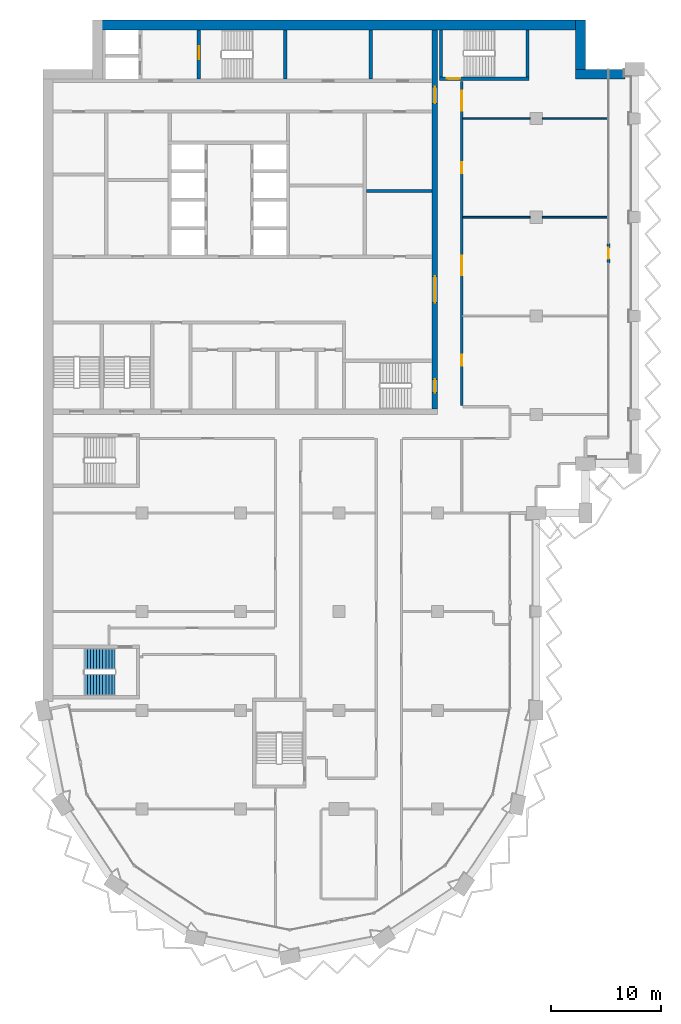
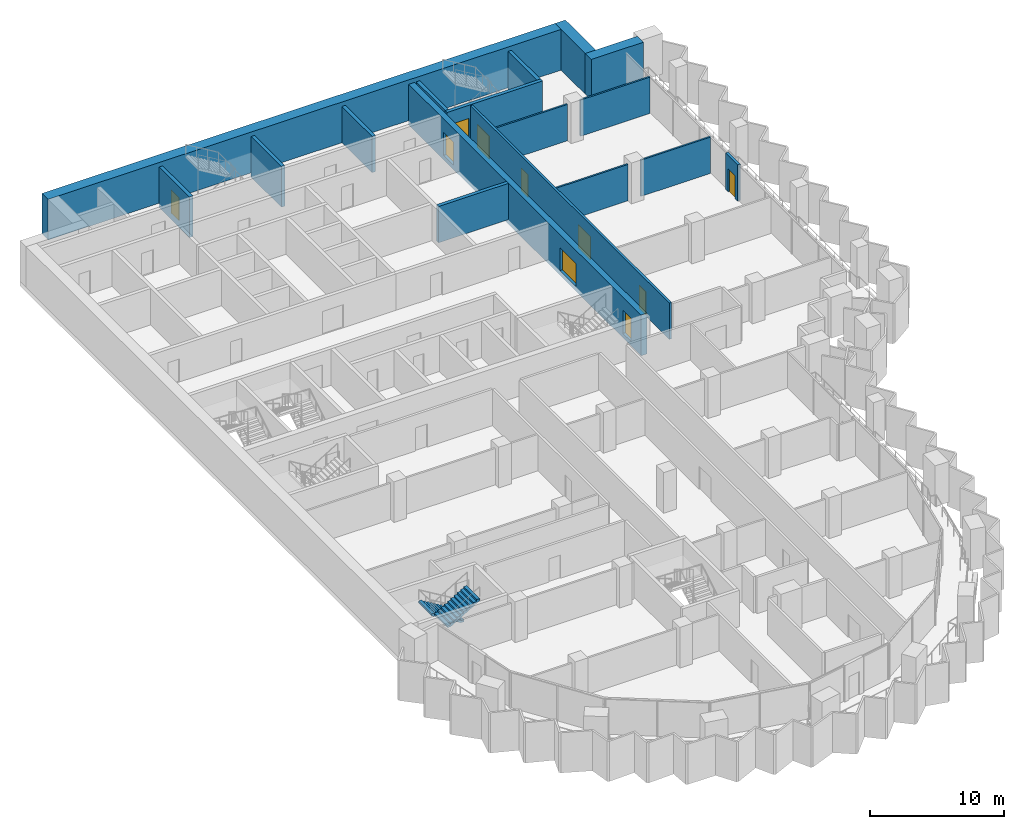
# One storey, part 11 of 17: 17 walls, 10 doors, 2 stair flights, 10 openings, 1 element without a shape of its own.
"""IFC4 building model written with IfcOpenShell, lengths in metres."""

from ifc_helpers import new_model, si_unit, direction, frame, frame_2d, origin, place, context, subcontext, project, spatial, polyline, rectangle, outline, extrude, material, layer, layer_set, type_object, element, fill, aggregate, save


model = new_model("IFC4")

# Units and contexts
model_context = context("Model", 3, precision=1e-05, world=origin(), true_north=direction((0.0, 1.0)))
body_context = subcontext(model_context, "Body", "Model", "MODEL_VIEW")
ifc_project = project(units=[si_unit("LENGTHUNIT", "METRE"), si_unit("AREAUNIT", "SQUARE_METRE"), si_unit("VOLUMEUNIT", "CUBIC_METRE"), si_unit("PLANEANGLEUNIT", "RADIAN"), si_unit("MASSUNIT", "GRAM", prefix="KILO")], contexts=[model_context])

# Site, building, storey
site_placement = place(None, origin())
site = spatial("IfcSite", under=ifc_project, at=site_placement, CompositionType="ELEMENT")
building_placement = place(site_placement, origin())
building = spatial("IfcBuilding", under=site, at=building_placement, Name="Hunhe Ridgeline Campus", CompositionType="ELEMENT")
storey_placement = place(building_placement, frame((0.0, 0.0, 212.39990234375)))
storey = spatial("IfcBuildingStorey", under=building, at=storey_placement, Name="L54", CompositionType="ELEMENT", Elevation=212.39990234375)

# Walls
ifc_material_1 = material(Name="Masonry concrete blockwork", Category="masonry")
ifc_layer_1 = layer(ifc_material_1, 0.300048828125)
ifc_layer_set_1 = layer_set([ifc_layer_1], Name="Core room partition 300 concrete block")
wall_type_1 = type_object("IfcWallType", Name="Core room partition 300 concrete block", PredefinedType="PARTITIONING", material=ifc_layer_set_1)
wall_1_placement = place(storey_placement, frame((29.5, 83.39990234375, 0.0), z_axis=(0.0, 0.0, 1.0), x_axis=(1.0, 0.0, 0.0)))
element("IfcWall", 1, at=wall_1_placement, inside=storey, type_object=wall_type_1, Name="L54 core partition 18", PredefinedType="PARTITIONING", context=body_context, shape_type="SweptSolid", body=[
    extrude(rectangle(XDim=6.0, YDim=0.300048828125, at=frame_2d((3.0, 0.0))), origin(), (0.0, 0.0, 1.0), 3.300048828125),
])
wall_2_placement = place(storey_placement, frame((29.89990234375, 93.60009765625, 0.0), z_axis=(0.0, 0.0, 1.0), x_axis=(0.0, 1.0, 0.0)))
element("IfcWall", 2, at=wall_2_placement, inside=storey, type_object=wall_type_1, Name="L54 core partition 53", PredefinedType="PARTITIONING", context=body_context, shape_type="SweptSolid", body=[
    extrude(rectangle(XDim=4.5, YDim=0.300048828125, at=frame_2d((2.25, 0.0))), origin(), (0.0, 0.0, 1.0), 3.300048828125),
])

# Wall, openings, doors
ifc_material_2 = material(Name="Concrete C60", Category="concrete")
ifc_layer_2 = layer(ifc_material_2, 0.5)
ifc_layer_set_2 = layer_set([ifc_layer_2], Name="Core wall 500 reinforced concrete C60")
wall_type_2 = type_object("IfcWallType", Name="Core wall 500 reinforced concrete C60", PredefinedType="SOLIDWALL", material=ifc_layer_set_2)
wall_3_placement = place(storey_placement, frame((35.75, 63.5, -0.39990234375), z_axis=(0.0, 0.0, 1.0), x_axis=(0.0, 1.0, 0.0)))
wall_3 = element("IfcWall", 3, at=wall_3_placement, inside=storey, type_object=wall_type_2, Name="L54 core wall 54", PredefinedType="SOLIDWALL", context=body_context, shape_type="SweptSolid", body=[
    extrude(rectangle(XDim=34.60009765625, YDim=0.5, at=frame_2d((17.300048828125, 0.0))), origin(), (0.0, 0.0, 1.0), 3.699951171875),
])
opening_1_placement = place(wall_3_placement, frame((9.699951171875, 0.0, 0.39990234375)))
opening_1 = element("IfcOpeningElement", 4, at=opening_1_placement, cuts=wall_3, Name="Opening CD4", PredefinedType="OPENING", context=body_context, shape_type="SweptSolid", body=[
    extrude(rectangle(XDim=2.39990234375, YDim=2.10009765625, at=frame_2d((1.199951171875, 1.050048828125))), frame((0.0, 0.25, 0.0), z_axis=(0.0, -1.0, 0.0), x_axis=(1.0, 0.0, 0.0)), (0.0, 0.0, 1.0), 0.5),
])
opening_2_placement = place(wall_3_placement, frame((27.89990234375, 0.0, 0.39990234375)))
opening_2 = element("IfcOpeningElement", 5, at=opening_2_placement, cuts=wall_3, Name="Opening CD5", PredefinedType="OPENING", context=body_context, shape_type="SweptSolid", body=[
    extrude(rectangle(XDim=1.5, YDim=2.10009765625, at=frame_2d((0.75, 1.050048828125))), frame((0.0, 0.25, 0.0), z_axis=(0.0, -1.0, 0.0), x_axis=(1.0, 0.0, 0.0)), (0.0, 0.0, 1.0), 0.5),
])
opening_3_placement = place(wall_3_placement, frame((1.5, 0.0, 0.39990234375)))
opening_3 = element("IfcOpeningElement", 6, at=opening_3_placement, cuts=wall_3, Name="Opening CD15", PredefinedType="OPENING", context=body_context, shape_type="SweptSolid", body=[
    extrude(rectangle(XDim=1.199951171875, YDim=2.10009765625, at=frame_2d((0.60009765625, 1.050048828125))), frame((0.0, 0.25, 0.0), z_axis=(0.0, -1.0, 0.0), x_axis=(1.0, 0.0, 0.0)), (0.0, 0.0, 1.0), 0.5),
])
ifc_material_3 = material(Name="Anodised aluminium and glass", Category="aluminium")
door_type_1 = type_object("IfcDoorType", Name="Glazed double door 2400x2100", OperationType="DOUBLE_DOOR_SINGLE_SWING", PredefinedType="DOOR", material=ifc_material_3)
door_1_placement = place(opening_1_placement, frame((2.39990234375, 0.0, 0.0), z_axis=(0.0, 0.0, 1.0), x_axis=(-1.0, 0.0, 0.0)))
door_1 = element("IfcDoor", 7, at=door_1_placement, inside=storey, type_object=door_type_1, Name="L54 door HALL-FLOOR", OperationType="DOUBLE_DOOR_SINGLE_SWING", OverallHeight=2.10009765625, OverallWidth=2.39990234375, PredefinedType="DOOR", context=body_context, shape_type="SweptSolid", body=[
    extrude(rectangle(XDim=2.39990234375, YDim=2.10009765625, at=frame_2d((1.199951171875, 1.050048828125))), frame((0.0, 0.02490234375, 0.0), z_axis=(0.0, -1.0, 0.0), x_axis=(1.0, 0.0, 0.0)), (0.0, 0.0, 1.0), 0.050048828125),
])
fill(opening_1, door_1)
ifc_material_4 = material(Name="Hollow metal fire door leaf")
door_type_2 = type_object("IfcDoorType", Name="Stair door 1200x2100 FD60", OperationType="SINGLE_SWING_LEFT", PredefinedType="DOOR", material=ifc_material_4)
door_2_placement = place(opening_3_placement, frame((1.199951171875, 0.0, 0.0), z_axis=(0.0, 0.0, 1.0), x_axis=(-1.0, 0.0, 0.0)))
door_2 = element("IfcDoor", 8, at=door_2_placement, inside=storey, type_object=door_type_2, Name="L54 door S2-FLOOR", OperationType="SINGLE_SWING_LEFT", OverallHeight=2.10009765625, OverallWidth=1.199951171875, PredefinedType="DOOR", context=body_context, shape_type="SweptSolid", body=[
    extrude(rectangle(XDim=1.199951171875, YDim=2.10009765625, at=frame_2d((0.60009765625, 1.050048828125))), frame((0.0, 0.02490234375, 0.0), z_axis=(0.0, -1.0, 0.0), x_axis=(1.0, 0.0, 0.0)), (0.0, 0.0, 1.0), 0.050048828125),
])
fill(opening_3, door_2)
ifc_material_5 = material(Name="Solid core timber door leaf", Category="wood")
door_type_3 = type_object("IfcDoorType", Name="Timber door 1500x2100", OperationType="SINGLE_SWING_LEFT", PredefinedType="DOOR", material=ifc_material_5)
door_3_placement = place(opening_2_placement, frame((1.5, 0.0, 0.0), z_axis=(0.0, 0.0, 1.0), x_axis=(-1.0, 0.0, 0.0)))
door_3 = element("IfcDoor", 9, at=door_3_placement, inside=storey, type_object=door_type_3, Name="L54 door C1-FLOOR", OperationType="SINGLE_SWING_LEFT", OverallHeight=2.10009765625, OverallWidth=1.5, PredefinedType="DOOR", context=body_context, shape_type="SweptSolid", body=[
    extrude(rectangle(XDim=1.5, YDim=2.10009765625, at=frame_2d((0.75, 1.050048828125))), frame((0.0, 0.02490234375, 0.0), z_axis=(0.0, -1.0, 0.0), x_axis=(1.0, 0.0, 0.0)), (0.0, 0.0, 1.0), 0.050048828125),
])
fill(opening_2, door_3)

ifc_material_6 = material(Name="Gypsum board partition")
ifc_layer_3 = layer(ifc_material_6, 0.199951171875)
ifc_layer_set_3 = layer_set([ifc_layer_3], Name="Corridor partition 200 gypsum board on steel studs")
wall_type_3 = type_object("IfcWallType", Name="Corridor partition 200 gypsum board on steel studs", PredefinedType="PARTITIONING", material=ifc_layer_set_3)
wall_4_placement = place(storey_placement, frame((38.199951171875, 93.39599609375, 0.0), z_axis=(0.0, 0.0, 1.0), x_axis=(0.0, -1.0, 0.0)))
wall_4 = element("IfcWall", 10, at=wall_4_placement, inside=storey, type_object=wall_type_3, Name="F-L54-wall-057", PredefinedType="PARTITIONING", context=body_context, shape_type="SweptSolid", body=[
    extrude(rectangle(XDim=29.595947265625, YDim=0.199951171875, at=frame_2d((14.7978515625, 0.0))), origin(), (0.0, 0.0, 1.0), 3.300048828125),
])
opening_4_placement = place(wall_4_placement, frame((24.95751953125, 0.0, 0.0)))
opening_4 = element("IfcOpeningElement", 11, at=opening_4_placement, cuts=wall_4, Name="Opening RD1-017", PredefinedType="OPENING", context=body_context, shape_type="SweptSolid", body=[
    extrude(rectangle(XDim=1.0, YDim=2.10009765625, at=frame_2d((0.5, 1.050048828125))), frame((0.0, 0.10009765625, 0.0), z_axis=(0.0, -1.0, 0.0), x_axis=(1.0, 0.0, 0.0)), (0.0, 0.0, 1.0), 0.199951171875),
])
opening_5_placement = place(wall_4_placement, frame((15.904541015625, 0.0, 0.0)))
opening_5 = element("IfcOpeningElement", 12, at=opening_5_placement, cuts=wall_4, Name="Opening RD2-018", PredefinedType="OPENING", context=body_context, shape_type="SweptSolid", body=[
    extrude(rectangle(XDim=1.800048828125, YDim=2.10009765625, at=frame_2d((0.89990234375, 1.050048828125))), frame((0.0, 0.10009765625, 0.0), z_axis=(0.0, -1.0, 0.0), x_axis=(1.0, 0.0, 0.0)), (0.0, 0.0, 1.0), 0.199951171875),
])
opening_6_placement = place(wall_4_placement, frame((7.400634765625, 0.0, 0.0)))
opening_6 = element("IfcOpeningElement", 13, at=opening_6_placement, cuts=wall_4, Name="Opening RD1-019", PredefinedType="OPENING", context=body_context, shape_type="SweptSolid", body=[
    extrude(rectangle(XDim=1.0, YDim=2.10009765625, at=frame_2d((0.5, 1.050048828125))), frame((0.0, 0.10009765625, 0.0), z_axis=(0.0, -1.0, 0.0), x_axis=(1.0, 0.0, 0.0)), (0.0, 0.0, 1.0), 0.199951171875),
])
opening_7_placement = place(wall_4_placement, frame((0.855712890625, 0.0, 0.0)))
opening_7 = element("IfcOpeningElement", 14, at=opening_7_placement, cuts=wall_4, Name="Opening RD2-020", PredefinedType="OPENING", context=body_context, shape_type="SweptSolid", body=[
    extrude(rectangle(XDim=1.800048828125, YDim=2.10009765625, at=frame_2d((0.89990234375, 1.050048828125))), frame((0.0, 0.10009765625, 0.0), z_axis=(0.0, -1.0, 0.0), x_axis=(1.0, 0.0, 0.0)), (0.0, 0.0, 1.0), 0.199951171875),
])
ifc_material_7 = material(Name="Timber door leaf", Category="wood")
door_type_4 = type_object("IfcDoorType", Name="Double fire door 1800x2100 timber FD60", OperationType="DOUBLE_DOOR_SINGLE_SWING", PredefinedType="DOOR", material=ifc_material_7)
door_4_placement = place(opening_5_placement, origin())
door_4 = element("IfcDoor", 15, at=door_4_placement, inside=storey, type_object=door_type_4, Name="F-L54-door-018", OperationType="DOUBLE_DOOR_SINGLE_SWING", OverallHeight=2.10009765625, OverallWidth=1.800048828125, PredefinedType="DOOR", context=body_context, shape_type="SweptSolid", body=[
    extrude(rectangle(XDim=1.800048828125, YDim=2.10009765625, at=frame_2d((0.89990234375, 1.050048828125))), frame((0.0, 0.02490234375, 0.0), z_axis=(0.0, -1.0, 0.0), x_axis=(1.0, 0.0, 0.0)), (0.0, 0.0, 1.0), 0.050048828125),
])
fill(opening_5, door_4)
door_5_placement = place(opening_7_placement, origin())
door_5 = element("IfcDoor", 16, at=door_5_placement, inside=storey, type_object=door_type_4, Name="F-L54-door-020", OperationType="DOUBLE_DOOR_SINGLE_SWING", OverallHeight=2.10009765625, OverallWidth=1.800048828125, PredefinedType="DOOR", context=body_context, shape_type="SweptSolid", body=[
    extrude(rectangle(XDim=1.800048828125, YDim=2.10009765625, at=frame_2d((0.89990234375, 1.050048828125))), frame((0.0, 0.02490234375, 0.0), z_axis=(0.0, -1.0, 0.0), x_axis=(1.0, 0.0, 0.0)), (0.0, 0.0, 1.0), 0.050048828125),
])
fill(opening_7, door_5)
door_type_5 = type_object("IfcDoorType", Name="Single fire door 1000x2100 timber FD60", OperationType="NOTDEFINED", PredefinedType="DOOR", material=ifc_material_7)
door_6_placement = place(opening_4_placement, origin())
door_6 = element("IfcDoor", 17, at=door_6_placement, inside=storey, type_object=door_type_5, Name="F-L54-door-017", OperationType="SINGLE_SWING_RIGHT", OverallHeight=2.10009765625, OverallWidth=1.0, PredefinedType="DOOR", context=body_context, shape_type="SweptSolid", body=[
    extrude(rectangle(XDim=1.0, YDim=2.10009765625, at=frame_2d((0.5, 1.050048828125))), frame((0.0, 0.02490234375, 0.0), z_axis=(0.0, -1.0, 0.0), x_axis=(1.0, 0.0, 0.0)), (0.0, 0.0, 1.0), 0.050048828125),
])
fill(opening_4, door_6)
door_7_placement = place(opening_6_placement, origin())
door_7 = element("IfcDoor", 18, at=door_7_placement, inside=storey, type_object=door_type_5, Name="F-L54-door-019", OperationType="SINGLE_SWING_LEFT", OverallHeight=2.10009765625, OverallWidth=1.0, PredefinedType="DOOR", context=body_context, shape_type="SweptSolid", body=[
    extrude(rectangle(XDim=1.0, YDim=2.10009765625, at=frame_2d((0.5, 1.050048828125))), frame((0.0, 0.02490234375, 0.0), z_axis=(0.0, -1.0, 0.0), x_axis=(1.0, 0.0, 0.0)), (0.0, 0.0, 1.0), 0.050048828125),
])
fill(opening_6, door_7)

# Wall, opening, door
ifc_material_8 = material(Name="Concrete C30", Category="concrete")
ifc_layer_4 = layer(ifc_material_8, 0.25)
ifc_layer_set_4 = layer_set([ifc_layer_4], Name="Loggia door pier wall 250 Concrete C30")
wall_type_4 = type_object("IfcWallType", Name="Loggia door pier wall 250 Concrete C30", PredefinedType="SOLIDWALL", material=ifc_layer_set_4)
wall_5_placement = place(storey_placement, frame((51.59912109375, 76.800537109375, 0.0), z_axis=(0.0, 0.0, 1.0), x_axis=(0.0, 1.0, 0.0)))
wall_5 = element("IfcWall", 19, at=wall_5_placement, inside=storey, type_object=wall_type_4, Name="Loggia door pier 4", PredefinedType="SOLIDWALL", context=body_context, shape_type="SweptSolid", body=[
    extrude(rectangle(XDim=1.800048828125, YDim=0.25, at=frame_2d((0.89990234375, 0.0))), origin(), (0.0, 0.0, 1.0), 3.300048828125),
])
opening_8_placement = place(wall_5_placement, frame((0.39990234375, 0.0, 0.0)))
opening_8 = element("IfcOpeningElement", 20, at=opening_8_placement, cuts=wall_5, Name="Opening BD406", PredefinedType="OPENING", context=body_context, shape_type="SweptSolid", body=[
    extrude(rectangle(XDim=1.0, YDim=2.10009765625, at=frame_2d((0.5, 1.050048828125))), frame((0.0, 0.125, 0.0), z_axis=(0.0, -1.0, 0.0), x_axis=(1.0, 0.0, 0.0)), (0.0, 0.0, 1.0), 0.25),
])
ifc_material_9 = material(Name="Aluminium 6063", Category="aluminium")
door_type_6 = type_object("IfcDoorType", Name="Loggia glazed door 1000x2100", OperationType="NOTDEFINED", PredefinedType="DOOR", material=ifc_material_9)
door_8_placement = place(opening_8_placement, frame((1.0, 0.0, 0.0), z_axis=(0.0, 0.0, 1.0), x_axis=(-1.0, 0.0, 0.0)))
door_8 = element("IfcDoor", 21, at=door_8_placement, inside=storey, type_object=door_type_6, Name="Loggia door BD406", OperationType="SINGLE_SWING_LEFT", OverallHeight=2.10009765625, OverallWidth=1.0, PredefinedType="DOOR", context=body_context, shape_type="SweptSolid", body=[
    extrude(rectangle(XDim=1.0, YDim=2.10009765625, at=frame_2d((0.5, 1.050048828125))), frame((0.0, 0.02490234375, 0.0), z_axis=(0.0, -1.0, 0.0), x_axis=(1.0, 0.0, 0.0)), (0.0, 0.0, 1.0), 0.050048828125),
])
fill(opening_8, door_8)

# Walls
ifc_layer_5 = layer(ifc_material_6, 0.14990234375)
ifc_layer_set_5 = layer_set([ifc_layer_5], Name="Room partition 150 gypsum board on steel studs")
wall_type_5 = type_object("IfcWallType", Name="Room partition 150 gypsum board on steel studs", PredefinedType="PARTITIONING", material=ifc_layer_set_5)
wall_6_placement = place(storey_placement, frame((38.300048828125, 81.0, 0.0), z_axis=(0.0, 0.0, 1.0), x_axis=(1.0, 0.0, 0.0)))
element("IfcWall", 22, at=wall_6_placement, inside=storey, type_object=wall_type_5, Name="F-L54-wall-041", PredefinedType="PARTITIONING", context=body_context, shape_type="SweptSolid", body=[
    extrude(rectangle(XDim=6.14990234375, YDim=0.14990234375, at=frame_2d((3.074951171875, 0.0))), origin(), (0.0, 0.0, 1.0), 3.300048828125),
])
wall_7_placement = place(storey_placement, frame((45.550048828125, 81.0, 0.0), z_axis=(0.0, 0.0, 1.0), x_axis=(1.0, 0.0, 0.0)))
element("IfcWall", 23, at=wall_7_placement, inside=storey, type_object=wall_type_5, Name="F-L54-wall-042", PredefinedType="PARTITIONING", context=body_context, shape_type="SweptSolid", body=[
    extrude(rectangle(XDim=5.994873046875, YDim=0.14990234375, at=frame_2d((2.99755859375, 0.0))), origin(), (0.0, 0.0, 1.0), 3.300048828125),
])
wall_8_placement = place(storey_placement, frame((38.300048828125, 90.0, 0.0), z_axis=(0.0, 0.0, 1.0), x_axis=(1.0, 0.0, 0.0)))
element("IfcWall", 24, at=wall_8_placement, inside=storey, type_object=wall_type_5, Name="F-L54-wall-043", PredefinedType="PARTITIONING", context=body_context, shape_type="SweptSolid", body=[
    extrude(rectangle(XDim=6.14990234375, YDim=0.14990234375, at=frame_2d((3.074951171875, 0.0))), origin(), (0.0, 0.0, 1.0), 3.300048828125),
])
wall_9_placement = place(storey_placement, frame((45.550048828125, 90.0, 0.0), z_axis=(0.0, 0.0, 1.0), x_axis=(1.0, 0.0, 0.0)))
element("IfcWall", 25, at=wall_9_placement, inside=storey, type_object=wall_type_5, Name="F-L54-wall-044", PredefinedType="PARTITIONING", context=body_context, shape_type="SweptSolid", body=[
    extrude(rectangle(XDim=5.994873046875, YDim=0.14990234375, at=frame_2d((2.99755859375, 0.0))), origin(), (0.0, 0.0, 1.0), 3.300048828125),
])
ifc_layer_6 = layer(ifc_material_2, 0.89990234375)
ifc_layer_set_6 = layer_set([ifc_layer_6], Name="Spine wall 900 Concrete C60")
wall_type_6 = type_object("IfcWallType", Name="Spine wall 900 Concrete C60", PredefinedType="SHEAR", material=ifc_layer_set_6)
wall_10_placement = place(storey_placement, frame((53.10009765625, 94.050048828125, 0.0), z_axis=(0.0, 0.0, 1.0), x_axis=(-1.0, 0.0, 0.0)))
element("IfcWall", 26, at=wall_10_placement, inside=storey, type_object=wall_type_6, Name="Spine wall SW3-2 L54", PredefinedType="SHEAR", context=body_context, shape_type="SweptSolid", body=[
    extrude(rectangle(XDim=4.5, YDim=0.89990234375, at=frame_2d((2.25, 0.0))), origin(), (0.0, 0.0, 1.0), 3.7001953125),
])
wall_11_placement = place(storey_placement, frame((49.050048828125, 93.60009765625, 0.0), z_axis=(0.0, 0.0, 1.0), x_axis=(0.0, 1.0, 0.0)))
element("IfcWall", 27, at=wall_11_placement, inside=storey, type_object=wall_type_6, Name="Spine wall SW3-3 L54", PredefinedType="SHEAR", context=body_context, shape_type="SweptSolid", body=[
    extrude(rectangle(XDim=5.39990234375, YDim=0.89990234375, at=frame_2d((2.699951171875, 0.0))), origin(), (0.0, 0.0, 1.0), 3.7001953125),
])
wall_12_placement = place(storey_placement, frame((49.5, 98.550048828125, 0.0), z_axis=(0.0, 0.0, 1.0), x_axis=(-1.0, 0.0, 0.0)))
element("IfcWall", 28, at=wall_12_placement, inside=storey, type_object=wall_type_6, Name="Spine wall SW3-4 L54", PredefinedType="SHEAR", context=body_context, shape_type="SweptSolid", body=[
    extrude(rectangle(XDim=45.0, YDim=0.89990234375, at=frame_2d((22.5, 0.0))), origin(), (0.0, 0.0, 1.0), 3.7001953125),
])

# Wall, opening, door
ifc_layer_7 = layer(ifc_material_2, 0.300048828125)
ifc_layer_set_7 = layer_set([ifc_layer_7], Name="Stair wall 300 reinforced concrete C60")
wall_type_7 = type_object("IfcWallType", Name="Stair wall 300 reinforced concrete C60", PredefinedType="SOLIDWALL", material=ifc_layer_set_7)
wall_13_placement = place(storey_placement, frame((36.14990234375, 93.64990234375, -0.39990234375), z_axis=(0.0, 0.0, 1.0), x_axis=(1.0, 0.0, 0.0)))
wall_13 = element("IfcWall", 29, at=wall_13_placement, inside=storey, type_object=wall_type_7, Name="L54 core wall 27", PredefinedType="SOLIDWALL", context=body_context, shape_type="SweptSolid", body=[
    extrude(rectangle(XDim=8.2001953125, YDim=0.300048828125, at=frame_2d((4.10009765625, 0.0))), origin(), (0.0, 0.0, 1.0), 3.699951171875),
])
opening_9_placement = place(wall_13_placement, frame((0.699951171875, 0.0, 0.39990234375)))
opening_9 = element("IfcOpeningElement", 30, at=opening_9_placement, cuts=wall_13, Name="Opening CD17", PredefinedType="OPENING", context=body_context, shape_type="SweptSolid", body=[
    extrude(rectangle(XDim=1.199951171875, YDim=2.10009765625, at=frame_2d((0.60009765625, 1.050048828125))), frame((0.0, 0.14990234375, 0.0), z_axis=(0.0, -1.0, 0.0), x_axis=(1.0, 0.0, 0.0)), (0.0, 0.0, 1.0), 0.300048828125),
])
door_9_placement = place(opening_9_placement, frame((1.199951171875, 0.0, 0.0), z_axis=(0.0, 0.0, 1.0), x_axis=(-1.0, 0.0, 0.0)))
door_9 = element("IfcDoor", 31, at=door_9_placement, inside=storey, type_object=door_type_2, Name="L54 door E1", OperationType="SINGLE_SWING_LEFT", OverallHeight=2.10009765625, OverallWidth=1.199951171875, PredefinedType="DOOR", context=body_context, shape_type="SweptSolid", body=[
    extrude(rectangle(XDim=1.199951171875, YDim=2.10009765625, at=frame_2d((0.60009765625, 1.050048828125))), frame((0.0, 0.02490234375, 0.0), z_axis=(0.0, -1.0, 0.0), x_axis=(1.0, 0.0, 0.0)), (0.0, 0.0, 1.0), 0.050048828125),
])
fill(opening_9, door_9)

wall_14_placement = place(storey_placement, frame((14.199951171875, 93.60009765625, -0.39990234375), z_axis=(0.0, 0.0, 1.0), x_axis=(0.0, 1.0, 0.0)))
wall_14 = element("IfcWall", 32, at=wall_14_placement, inside=storey, type_object=wall_type_7, Name="L54 core wall 39", PredefinedType="SOLIDWALL", context=body_context, shape_type="SweptSolid", body=[
    extrude(rectangle(XDim=4.5, YDim=0.300048828125, at=frame_2d((2.25, 0.0))), origin(), (0.0, 0.0, 1.0), 3.699951171875),
])
opening_10_placement = place(wall_14_placement, frame((1.800048828125, 0.0, 0.39990234375)))
opening_10 = element("IfcOpeningElement", 33, at=opening_10_placement, cuts=wall_14, Name="Opening CD16", PredefinedType="OPENING", context=body_context, shape_type="SweptSolid", body=[
    extrude(rectangle(XDim=1.199951171875, YDim=2.10009765625, at=frame_2d((0.60009765625, 1.050048828125))), frame((0.0, 0.14990234375, 0.0), z_axis=(0.0, -1.0, 0.0), x_axis=(1.0, 0.0, 0.0)), (0.0, 0.0, 1.0), 0.300048828125),
])
door_10_placement = place(opening_10_placement, origin())
door_10 = element("IfcDoor", 34, at=door_10_placement, inside=storey, type_object=door_type_2, Name="L54 door S1-FF", OperationType="SINGLE_SWING_RIGHT", OverallHeight=2.10009765625, OverallWidth=1.199951171875, PredefinedType="DOOR", context=body_context, shape_type="SweptSolid", body=[
    extrude(rectangle(XDim=1.199951171875, YDim=2.10009765625, at=frame_2d((0.60009765625, 1.050048828125))), frame((0.0, 0.02490234375, 0.0), z_axis=(0.0, -1.0, 0.0), x_axis=(1.0, 0.0, 0.0)), (0.0, 0.0, 1.0), 0.050048828125),
])
fill(opening_10, door_10)

# Walls
wall_15_placement = place(storey_placement, frame((22.10009765625, 93.60009765625, -0.39990234375), z_axis=(0.0, 0.0, 1.0), x_axis=(0.0, 1.0, 0.0)))
element("IfcWall", 35, at=wall_15_placement, inside=storey, type_object=wall_type_7, Name="L54 core wall 45", PredefinedType="SOLIDWALL", context=body_context, shape_type="SweptSolid", body=[
    extrude(rectangle(XDim=4.5, YDim=0.300048828125, at=frame_2d((2.25, 0.0))), origin(), (0.0, 0.0, 1.0), 3.699951171875),
])
for number, where, z_axis, x_axis, name in (
    (36, (36.300048828125, 93.800048828125, -0.39990234375), (0.0, 0.0, 1.0), (0.0, 1.0, 0.0), "L54 core wall 55"),
    (37, (44.199951171875, 93.800048828125, -0.39990234375), (0.0, 0.0, 1.0), (0.0, 1.0, 0.0), "L54 core wall 56"),
):
    element("IfcWall", number, at=place(storey_placement, frame(where, z_axis=z_axis, x_axis=x_axis)), inside=storey, type_object=wall_type_7, Name=name, PredefinedType="SOLIDWALL", context=body_context, shape_type="SweptSolid", body=[
        extrude(rectangle(XDim=4.300048828125, YDim=0.300048828125, at=frame_2d((2.14990234375, 0.0))), origin(), (0.0, 0.0, 1.0), 3.699951171875),
    ])

# Stair, stair flights
ifc_material_10 = material(Name="Concrete C40", Category="concrete")
stair_type = type_object("IfcStairType", Name="Reinforced concrete dog-leg stair 1950 Concrete C40", PredefinedType="HALF_TURN_STAIR", material=ifc_material_10)
stair_placement = place(storey_placement, origin())
stair = element("IfcStair", 38, at=stair_placement, inside=storey, type_object=stair_type, Name="L54 W1", PredefinedType="HALF_TURN_STAIR")
stair_flight_type = type_object("IfcStairFlightType", Name="Reinforced concrete stair flight 1950 Concrete C40", PredefinedType="STRAIGHT", material=ifc_material_10)
stair_flight_1_placement = place(storey_placement, frame((6.550048828125, 40.675048828125, 0.0), z_axis=(0.0, 0.0, 1.0), x_axis=(-1.0, 0.0, 0.0)))
stair_flight_1 = element("IfcStairFlight", 39, at=stair_flight_1_placement, type_object=stair_flight_type, Name="ST11 flight 1", NumberOfRisers=11, NumberOfTreads=10, PredefinedType="STRAIGHT", RiserHeight=0.168181818, TreadLength=0.28, context=body_context, shape_type="SweptSolid", body=[
    extrude(outline(polyline([(0.0, 0.0), (0.0, 0.168212890625), (0.280029296875, 0.168212890625), (0.280029296875, 0.33642578125), (0.56005859375, 0.33642578125), (0.56005859375, 0.504638671875), (0.840087890625, 0.504638671875), (0.840087890625, 0.672607421875), (1.1201171875, 0.672607421875), (1.1201171875, 0.8408203125), (1.39990234375, 0.8408203125), (1.39990234375, 1.009033203125), (1.679931640625, 1.009033203125), (1.679931640625, 1.17724609375), (1.9599609375, 1.17724609375), (1.9599609375, 1.345458984375), (2.239990234375, 1.345458984375), (2.239990234375, 1.513671875), (2.52001953125, 1.513671875), (2.52001953125, 1.681884765625), (2.800048828125, 1.681884765625), (2.800048828125, 1.85009765625), (2.800048828125, 1.5068359375), (0.291015625, 0.0), (0.0, 0.0)])), frame((0.0, 0.97509765625, 0.0), z_axis=(0.0, -1.0, 0.0), x_axis=(1.0, 0.0, 0.0)), (0.0, 0.0, 1.0), 1.949951171875),
    extrude(outline(polyline([(0.030029296875, 0.030029296875), (0.030029296875, 0.13818359375), (0.31005859375, 0.13818359375), (0.31005859375, 0.306396484375), (0.590087890625, 0.306396484375), (0.590087890625, 0.474609375), (0.8701171875, 0.474609375), (0.8701171875, 0.642578125), (1.14990234375, 0.642578125), (1.14990234375, 0.810791015625), (1.429931640625, 0.810791015625), (1.429931640625, 0.97900390625), (1.7099609375, 0.97900390625), (1.7099609375, 1.147216796875), (1.989990234375, 1.147216796875), (1.989990234375, 1.3154296875), (2.27001953125, 1.3154296875), (2.27001953125, 1.483642578125), (2.550048828125, 1.483642578125), (2.550048828125, 1.65185546875), (2.77001953125, 1.65185546875), (2.77001953125, 1.52392578125), (0.28271484375, 0.030029296875), (0.030029296875, 0.030029296875)])), frame((0.0, -0.070068359375, 0.0), z_axis=(0.0, -1.0, 0.0), x_axis=(1.0, 0.0, 0.0)), (0.0, 0.0, 1.0), 0.019775390625),
    extrude(outline(polyline([(0.030029296875, 0.030029296875), (0.030029296875, 0.13818359375), (0.31005859375, 0.13818359375), (0.31005859375, 0.306396484375), (0.590087890625, 0.306396484375), (0.590087890625, 0.474609375), (0.8701171875, 0.474609375), (0.8701171875, 0.642578125), (1.14990234375, 0.642578125), (1.14990234375, 0.810791015625), (1.429931640625, 0.810791015625), (1.429931640625, 0.97900390625), (1.7099609375, 0.97900390625), (1.7099609375, 1.147216796875), (1.989990234375, 1.147216796875), (1.989990234375, 1.3154296875), (2.27001953125, 1.3154296875), (2.27001953125, 1.483642578125), (2.550048828125, 1.483642578125), (2.550048828125, 1.65185546875), (2.77001953125, 1.65185546875), (2.77001953125, 1.52392578125), (0.28271484375, 0.030029296875), (0.030029296875, 0.030029296875)])), frame((0.0, 0.010009765625, 0.0), z_axis=(0.0, -1.0, 0.0), x_axis=(1.0, 0.0, 0.0)), (0.0, 0.0, 1.0), 0.019775390625),
    extrude(outline(polyline([(0.030029296875, 0.030029296875), (0.030029296875, 0.13818359375), (0.31005859375, 0.13818359375), (0.31005859375, 0.306396484375), (0.590087890625, 0.306396484375), (0.590087890625, 0.474609375), (0.8701171875, 0.474609375), (0.8701171875, 0.642578125), (1.14990234375, 0.642578125), (1.14990234375, 0.810791015625), (1.429931640625, 0.810791015625), (1.429931640625, 0.97900390625), (1.7099609375, 0.97900390625), (1.7099609375, 1.147216796875), (1.989990234375, 1.147216796875), (1.989990234375, 1.3154296875), (2.27001953125, 1.3154296875), (2.27001953125, 1.483642578125), (2.550048828125, 1.483642578125), (2.550048828125, 1.65185546875), (2.77001953125, 1.65185546875), (2.77001953125, 1.52392578125), (0.28271484375, 0.030029296875), (0.030029296875, 0.030029296875)])), frame((0.0, 0.090087890625, 0.0), z_axis=(0.0, -1.0, 0.0), x_axis=(1.0, 0.0, 0.0)), (0.0, 0.0, 1.0), 0.019775390625),
])
stair_flight_2_placement = place(storey_placement, frame((3.75, 38.324951171875, 1.85009765625), z_axis=(0.0, 0.0, 1.0), x_axis=(1.0, 0.0, 0.0)))
stair_flight_2 = element("IfcStairFlight", 40, at=stair_flight_2_placement, type_object=stair_flight_type, Name="ST11 flight 2", NumberOfRisers=11, NumberOfTreads=10, PredefinedType="STRAIGHT", RiserHeight=0.168181818, TreadLength=0.28, context=body_context, shape_type="SweptSolid", body=[
    extrude(outline(polyline([(0.0, 0.0), (0.0, 0.168212890625), (0.280029296875, 0.168212890625), (0.280029296875, 0.33642578125), (0.56005859375, 0.33642578125), (0.56005859375, 0.504638671875), (0.840087890625, 0.504638671875), (0.840087890625, 0.672607421875), (1.1201171875, 0.672607421875), (1.1201171875, 0.8408203125), (1.39990234375, 0.8408203125), (1.39990234375, 1.009033203125), (1.679931640625, 1.009033203125), (1.679931640625, 1.17724609375), (1.9599609375, 1.17724609375), (1.9599609375, 1.345458984375), (2.239990234375, 1.345458984375), (2.239990234375, 1.513671875), (2.52001953125, 1.513671875), (2.52001953125, 1.681884765625), (2.800048828125, 1.681884765625), (2.800048828125, 1.85009765625), (2.800048828125, 1.5068359375), (0.291015625, 0.0), (0.0, 0.0)])), frame((0.0, 0.97509765625, 0.0), z_axis=(0.0, -1.0, 0.0), x_axis=(1.0, 0.0, 0.0)), (0.0, 0.0, 1.0), 1.949951171875),
    extrude(outline(polyline([(0.030029296875, 0.030029296875), (0.030029296875, 0.13818359375), (0.31005859375, 0.13818359375), (0.31005859375, 0.306396484375), (0.590087890625, 0.306396484375), (0.590087890625, 0.474609375), (0.8701171875, 0.474609375), (0.8701171875, 0.642578125), (1.14990234375, 0.642578125), (1.14990234375, 0.810791015625), (1.429931640625, 0.810791015625), (1.429931640625, 0.97900390625), (1.7099609375, 0.97900390625), (1.7099609375, 1.147216796875), (1.989990234375, 1.147216796875), (1.989990234375, 1.3154296875), (2.27001953125, 1.3154296875), (2.27001953125, 1.483642578125), (2.550048828125, 1.483642578125), (2.550048828125, 1.65185546875), (2.77001953125, 1.65185546875), (2.77001953125, 1.52392578125), (0.28271484375, 0.030029296875), (0.030029296875, 0.030029296875)])), frame((0.0, -0.070068359375, 0.0), z_axis=(0.0, -1.0, 0.0), x_axis=(1.0, 0.0, 0.0)), (0.0, 0.0, 1.0), 0.019775390625),
    extrude(outline(polyline([(0.030029296875, 0.030029296875), (0.030029296875, 0.13818359375), (0.31005859375, 0.13818359375), (0.31005859375, 0.306396484375), (0.590087890625, 0.306396484375), (0.590087890625, 0.474609375), (0.8701171875, 0.474609375), (0.8701171875, 0.642578125), (1.14990234375, 0.642578125), (1.14990234375, 0.810791015625), (1.429931640625, 0.810791015625), (1.429931640625, 0.97900390625), (1.7099609375, 0.97900390625), (1.7099609375, 1.147216796875), (1.989990234375, 1.147216796875), (1.989990234375, 1.3154296875), (2.27001953125, 1.3154296875), (2.27001953125, 1.483642578125), (2.550048828125, 1.483642578125), (2.550048828125, 1.65185546875), (2.77001953125, 1.65185546875), (2.77001953125, 1.52392578125), (0.28271484375, 0.030029296875), (0.030029296875, 0.030029296875)])), frame((0.0, 0.010009765625, 0.0), z_axis=(0.0, -1.0, 0.0), x_axis=(1.0, 0.0, 0.0)), (0.0, 0.0, 1.0), 0.019775390625),
    extrude(outline(polyline([(0.030029296875, 0.030029296875), (0.030029296875, 0.13818359375), (0.31005859375, 0.13818359375), (0.31005859375, 0.306396484375), (0.590087890625, 0.306396484375), (0.590087890625, 0.474609375), (0.8701171875, 0.474609375), (0.8701171875, 0.642578125), (1.14990234375, 0.642578125), (1.14990234375, 0.810791015625), (1.429931640625, 0.810791015625), (1.429931640625, 0.97900390625), (1.7099609375, 0.97900390625), (1.7099609375, 1.147216796875), (1.989990234375, 1.147216796875), (1.989990234375, 1.3154296875), (2.27001953125, 1.3154296875), (2.27001953125, 1.483642578125), (2.550048828125, 1.483642578125), (2.550048828125, 1.65185546875), (2.77001953125, 1.65185546875), (2.77001953125, 1.52392578125), (0.28271484375, 0.030029296875), (0.030029296875, 0.030029296875)])), frame((0.0, 0.090087890625, 0.0), z_axis=(0.0, -1.0, 0.0), x_axis=(1.0, 0.0, 0.0)), (0.0, 0.0, 1.0), 0.019775390625),
])
aggregate(stair, [stair_flight_1, stair_flight_2])

save(model, "model.ifc")
